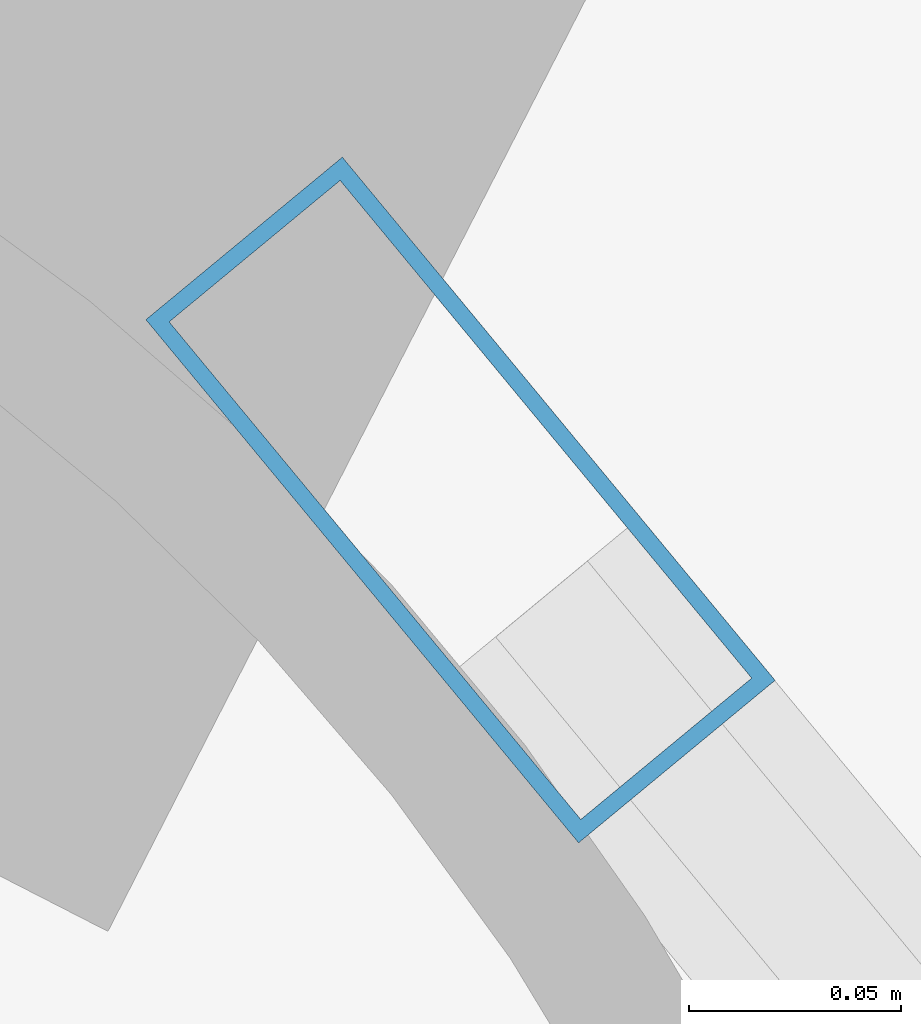
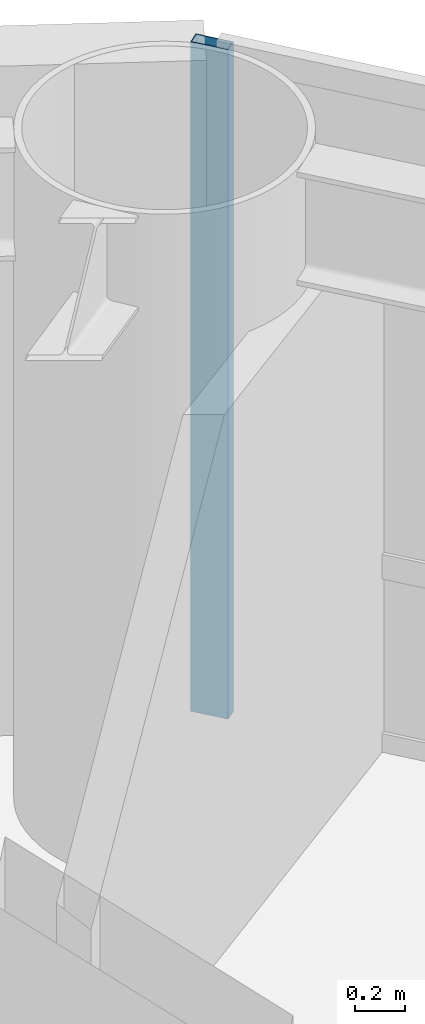
# One storey, part 13 of 28: 1 member, 1 element without a shape of its own.
"""IFC4 building model written with IfcOpenShell, lengths in metres."""

from ifc_helpers import new_model, si_unit, direction, frame, origin, origin_2d, place, context, subcontext, project, spatial, hollow_rectangle, extrude, material, layer, layer_set, material_profile, profile_set, type_object, element, aggregate, save


model = new_model("IFC4")

# Units and contexts
model_context = context("Model", 3, precision=1e-05, world=origin(), true_north=direction((0.0, 1.0)))
body_context = subcontext(model_context, "Body", "Model", "MODEL_VIEW")
ifc_project = project(units=[si_unit("LENGTHUNIT", "METRE"), si_unit("AREAUNIT", "SQUARE_METRE"), si_unit("VOLUMEUNIT", "CUBIC_METRE"), si_unit("PLANEANGLEUNIT", "RADIAN"), si_unit("MASSUNIT", "GRAM", prefix="KILO")], contexts=[model_context])

# Site, building, storey
site_placement = place(None, origin())
site = spatial("IfcSite", under=ifc_project, at=site_placement, CompositionType="ELEMENT")
building_placement = place(site_placement, origin())
building = spatial("IfcBuilding", under=site, at=building_placement, Name="Sarneth Arch Tower", CompositionType="ELEMENT")
storey_placement = place(building_placement, frame((0.0, 0.0, 197.39990234375)))
storey = spatial("IfcBuildingStorey", under=building, at=storey_placement, Name="L50", CompositionType="ELEMENT", Elevation=197.39990234375)

# Curtain wall, member
ifc_material_1 = material(Name="Anodised aluminium Type AA25 and solar-control low-e laminated IGU", Category="aluminium")
ifc_layer = layer(ifc_material_1, 0.169921875)
ifc_layer_set = layer_set([ifc_layer], Name="Anodised aluminium Type AA25 and solar-control low-e laminated IGU")
curtain_wall_type = type_object("IfcCurtainWallType", Name="CW-RES-MID", PredefinedType="NOTDEFINED", material=ifc_layer_set)
curtain_wall_placement = place(storey_placement, origin())
curtain_wall = element("IfcCurtainWall", 1, at=curtain_wall_placement, inside=storey, type_object=curtain_wall_type, Name="L50 Unitised curtain wall facet 02", PredefinedType="NOTDEFINED")
ifc_material_2 = material(Name="Anodised Aluminium 6063-T6", Category="aluminium")
ifc_material_profile = material_profile(ifc_material_2, hollow_rectangle(XDim=0.06005859375, YDim=0.159912109375, WallThickness=0.00390625, at=origin_2d()), Name="AL-MULL-160x60x4")
ifc_profile_set = profile_set([ifc_material_profile], Name="Anodised Aluminium 6063-T6")
member_type = type_object("IfcMemberType", Name="CW-MULLION", PredefinedType="MULLION", material=ifc_profile_set)
member_placement = place(storey_placement, frame((67.59521484375, 56.8828125, 0.0), z_axis=(0.0, 0.0, 1.0), x_axis=(-0.770590741276, -0.637330298558, 0.0)))
member = element("IfcMember", 2, at=member_placement, type_object=member_type, Name="CW-SYS-5 mullion 4", PredefinedType="MULLION", context=body_context, shape_type="SweptSolid", body=[
    extrude(hollow_rectangle(XDim=0.06005859375, YDim=0.159912109375, WallThickness=0.00390625, at=origin_2d()), origin(), (0.0, 0.0, 1.0), 3.25),
])
aggregate(curtain_wall, [member])

save(model, "model.ifc")
